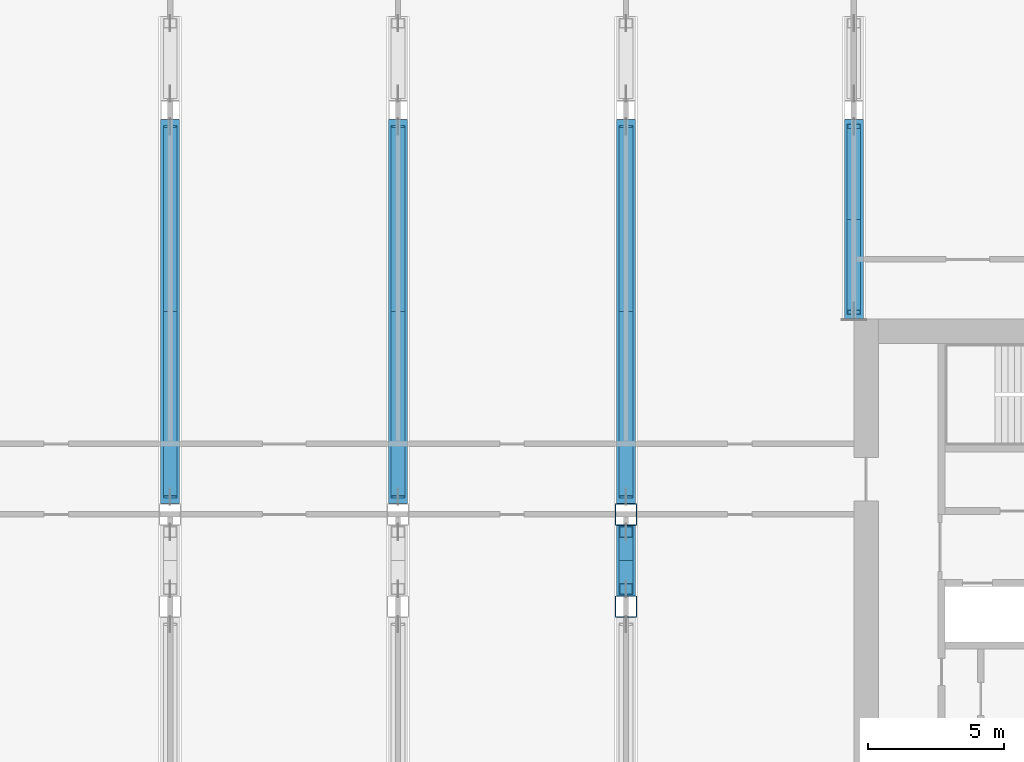
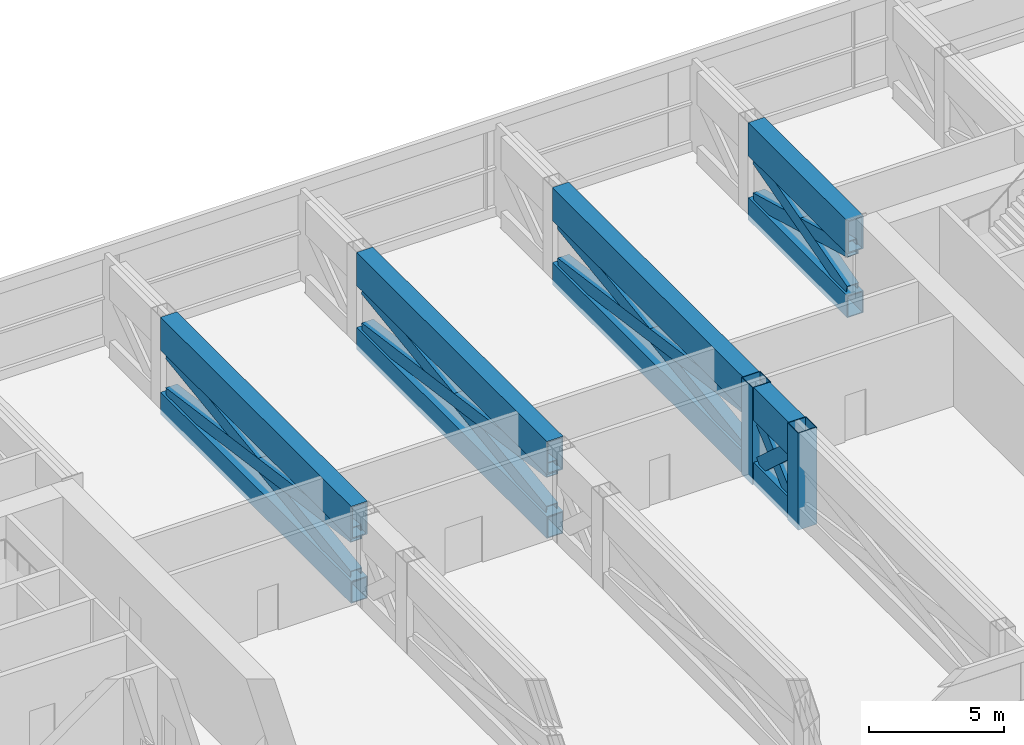
# One storey, part 7 of 33: 22 members.
"""IFC4 building model written with IfcOpenShell, lengths in metres."""

from ifc_helpers import new_model, si_unit, direction, frame, origin, origin_2d, place, context, subcontext, project, spatial, hollow_rectangle, extrude, material, material_profile, profile_set, type_object, element, save


model = new_model("IFC4")

# Units and contexts
model_context = context("Model", 3, precision=1e-05, world=origin(), true_north=direction((0.0, 1.0)))
body_context = subcontext(model_context, "Body", "Model", "MODEL_VIEW")
ifc_project = project(units=[si_unit("LENGTHUNIT", "METRE"), si_unit("AREAUNIT", "SQUARE_METRE"), si_unit("VOLUMEUNIT", "CUBIC_METRE"), si_unit("PLANEANGLEUNIT", "RADIAN"), si_unit("MASSUNIT", "GRAM", prefix="KILO")], contexts=[model_context])

# Site, building, storey
site_placement = place(None, origin())
site = spatial("IfcSite", under=ifc_project, at=site_placement, CompositionType="ELEMENT")
building_placement = place(site_placement, origin())
building = spatial("IfcBuilding", under=site, at=building_placement, Name="Hakoniwa Tower and Hamabe Station Hall", CompositionType="ELEMENT")
storey_placement = place(building_placement, frame((0.0, 0.0, 175.800048828125)))
storey = spatial("IfcBuildingStorey", under=building, at=storey_placement, Name="L50", CompositionType="ELEMENT", Elevation=175.800048828125)

# Members
ifc_material_1 = material(Name="Steel SN490C", Category="steel")
ifc_material_profile_1 = material_profile(ifc_material_1, hollow_rectangle(XDim=0.699951171875, YDim=1.0, WallThickness=0.0400390625, at=origin_2d()), Name="BX-1000x700x40")
ifc_profile_set_1 = profile_set([ifc_material_profile_1], Name="Steel SN490C")
member_type_1 = type_object("IfcMemberType", Name="TRUSS CHORD BX-1000x700x40", PredefinedType="CHORD", material=ifc_profile_set_1)
for number, where, z_axis, x_axis, name in (
    (1, (-8.39990234375, 1.60009765625, 0.199951171875), (0.0, 1.0, 0.0), (-1.0, 0.0, 0.0), "Truss T3-11-BC03"),
    (2, (0.0, 1.60009765625, 0.199951171875), (0.0, 1.0, 0.0), (-1.0, 0.0, 0.0), "Truss T3-12-BC03"),
):
    element("IfcMember", number, at=place(storey_placement, frame(where, z_axis=z_axis, x_axis=x_axis)), inside=storey, type_object=member_type_1, Name=name, PredefinedType="CHORD", context=body_context, shape_type="SweptSolid", body=[
        extrude(hollow_rectangle(XDim=0.699951171875, YDim=1.0, WallThickness=0.0400390625, at=origin_2d()), origin(), (0.0, 0.0, 1.0), 14.14990234375),
    ])
member_1_placement = place(storey_placement, frame((8.39990234375, -1.800048828125, 0.199951171875), z_axis=(0.0, 1.0, 0.0), x_axis=(-1.0, 0.0, 0.0)))
element("IfcMember", 3, at=member_1_placement, inside=storey, type_object=member_type_1, Name="Truss T3-13-BC02", PredefinedType="CHORD", context=body_context, shape_type="SweptSolid", body=[
    extrude(hollow_rectangle(XDim=0.699951171875, YDim=1.0, WallThickness=0.0400390625, at=origin_2d()), origin(), (0.0, 0.0, 1.0), 2.60009765625),
])
member_2_placement = place(storey_placement, frame((8.39990234375, 1.60009765625, 0.199951171875), z_axis=(0.0, 1.0, 0.0), x_axis=(-1.0, 0.0, 0.0)))
element("IfcMember", 4, at=member_2_placement, inside=storey, type_object=member_type_1, Name="Truss T3-13-BC03", PredefinedType="CHORD", context=body_context, shape_type="SweptSolid", body=[
    extrude(hollow_rectangle(XDim=0.699951171875, YDim=1.0, WallThickness=0.0400390625, at=origin_2d()), origin(), (0.0, 0.0, 1.0), 14.14990234375),
])
member_3_placement = place(storey_placement, frame((16.800048828125, 8.39990234375, 0.199951171875), z_axis=(0.0, 1.0, 0.0), x_axis=(-1.0, 0.0, 0.0)))
element("IfcMember", 5, at=member_3_placement, inside=storey, type_object=member_type_1, Name="Truss T3-15-BC01", PredefinedType="CHORD", context=body_context, shape_type="SweptSolid", body=[
    extrude(hollow_rectangle(XDim=0.699951171875, YDim=1.0, WallThickness=0.0400390625, at=origin_2d()), origin(), (0.0, 0.0, 1.0), 7.35009765625),
])
ifc_material_2 = material(Name="Steel SN490C", Category="steel")
ifc_material_profile_2 = material_profile(ifc_material_2, hollow_rectangle(XDim=0.699951171875, YDim=1.5, WallThickness=0.054931640625, at=origin_2d()), Name="BX-1500x700x55")
ifc_profile_set_2 = profile_set([ifc_material_profile_2], Name="Steel SN490C")
member_type_2 = type_object("IfcMemberType", Name="TRUSS CHORD BX-1500x700x55", PredefinedType="CHORD", material=ifc_profile_set_2)
for number, where, z_axis, x_axis, name in (
    (6, (-8.39990234375, 1.60009765625, 3.349853515625), (0.0, 1.0, 0.0), (-1.0, 0.0, 0.0), "Truss T3-11-TC03"),
    (7, (0.0, 1.60009765625, 3.349853515625), (0.0, 1.0, 0.0), (-1.0, 0.0, 0.0), "Truss T3-12-TC03"),
):
    element("IfcMember", number, at=place(storey_placement, frame(where, z_axis=z_axis, x_axis=x_axis)), inside=storey, type_object=member_type_2, Name=name, PredefinedType="CHORD", context=body_context, shape_type="SweptSolid", body=[
        extrude(hollow_rectangle(XDim=0.699951171875, YDim=1.5, WallThickness=0.054931640625, at=origin_2d()), origin(), (0.0, 0.0, 1.0), 14.14990234375),
    ])
member_4_placement = place(storey_placement, frame((8.39990234375, -1.800048828125, 3.349853515625), z_axis=(0.0, 1.0, 0.0), x_axis=(-1.0, 0.0, 0.0)))
element("IfcMember", 8, at=member_4_placement, inside=storey, type_object=member_type_2, Name="Truss T3-13-TC02", PredefinedType="CHORD", context=body_context, shape_type="SweptSolid", body=[
    extrude(hollow_rectangle(XDim=0.699951171875, YDim=1.5, WallThickness=0.054931640625, at=origin_2d()), origin(), (0.0, 0.0, 1.0), 2.60009765625),
])
member_5_placement = place(storey_placement, frame((8.39990234375, 1.60009765625, 3.349853515625), z_axis=(0.0, 1.0, 0.0), x_axis=(-1.0, 0.0, 0.0)))
element("IfcMember", 9, at=member_5_placement, inside=storey, type_object=member_type_2, Name="Truss T3-13-TC03", PredefinedType="CHORD", context=body_context, shape_type="SweptSolid", body=[
    extrude(hollow_rectangle(XDim=0.699951171875, YDim=1.5, WallThickness=0.054931640625, at=origin_2d()), origin(), (0.0, 0.0, 1.0), 14.14990234375),
])
member_6_placement = place(storey_placement, frame((16.800048828125, 8.39990234375, 3.349853515625), z_axis=(0.0, 1.0, 0.0), x_axis=(-1.0, 0.0, 0.0)))
element("IfcMember", 10, at=member_6_placement, inside=storey, type_object=member_type_2, Name="Truss T3-15-TC01", PredefinedType="CHORD", context=body_context, shape_type="SweptSolid", body=[
    extrude(hollow_rectangle(XDim=0.699951171875, YDim=1.5, WallThickness=0.054931640625, at=origin_2d()), origin(), (0.0, 0.0, 1.0), 7.35009765625),
])
ifc_material_3 = material(Name="Steel SN490C", Category="steel")
ifc_material_profile_3 = material_profile(ifc_material_3, hollow_rectangle(XDim=0.5, YDim=0.60009765625, WallThickness=0.028076171875, at=origin_2d()), Name="BX-600x500x28")
ifc_profile_set_3 = profile_set([ifc_material_profile_3], Name="Steel SN490C")
member_type_3 = type_object("IfcMemberType", Name="TRUSS DIAGONAL BX-600x500x28", PredefinedType="BRACE", material=ifc_profile_set_3)
for number, where, z_axis, x_axis, name in (
    (11, (-8.39990234375, 1.85009765625, 0.699951171875), (0.0, 0.990451865298, 0.137858995095), (-1.0, 0.0, 0.0), "Truss T3-11-D03a"),
    (12, (-8.39990234375, 1.85009765625, 2.599853515625), (0.0, 0.990451865298, -0.137858995095), (-1.0, 0.0, 0.0), "Truss T3-11-D03b"),
    (13, (0.0, 1.85009765625, 0.699951171875), (0.0, 0.990451865298, 0.137858995095), (-1.0, 0.0, 0.0), "Truss T3-12-D03a"),
    (14, (0.0, 1.85009765625, 2.599853515625), (0.0, 0.990451865298, -0.137858995095), (-1.0, 0.0, 0.0), "Truss T3-12-D03b"),
):
    element("IfcMember", number, at=place(storey_placement, frame(where, z_axis=z_axis, x_axis=x_axis)), inside=storey, type_object=member_type_3, Name=name, PredefinedType="BRACE", context=body_context, shape_type="SweptSolid", body=[
        extrude(hollow_rectangle(XDim=0.5, YDim=0.60009765625, WallThickness=0.028076171875, at=origin_2d()), origin(), (0.0, 0.0, 1.0), 13.781494140625),
    ])
for number, where, z_axis, x_axis, name in (
    (15, (8.39990234375, -1.550048828125, 0.699951171875), (0.0, 0.74156845591, 0.670877205753), (-1.0, 0.0, 0.0), "Truss T3-13-D02a"),
    (16, (8.39990234375, -1.550048828125, 2.599853515625), (0.0, 0.74156845591, -0.670877205753), (-1.0, 0.0, 0.0), "Truss T3-13-D02b"),
):
    element("IfcMember", number, at=place(storey_placement, frame(where, z_axis=z_axis, x_axis=x_axis)), inside=storey, type_object=member_type_3, Name=name, PredefinedType="BRACE", context=body_context, shape_type="SweptSolid", body=[
        extrude(hollow_rectangle(XDim=0.5, YDim=0.60009765625, WallThickness=0.028076171875, at=origin_2d()), origin(), (0.0, 0.0, 1.0), 2.83203125),
    ])
for number, where, z_axis, x_axis, name in (
    (17, (8.39990234375, 1.85009765625, 0.699951171875), (0.0, 0.990451865298, 0.137858995095), (-1.0, 0.0, 0.0), "Truss T3-13-D03a"),
    (18, (8.39990234375, 1.85009765625, 2.599853515625), (0.0, 0.990451865298, -0.137858995095), (-1.0, 0.0, 0.0), "Truss T3-13-D03b"),
):
    element("IfcMember", number, at=place(storey_placement, frame(where, z_axis=z_axis, x_axis=x_axis)), inside=storey, type_object=member_type_3, Name=name, PredefinedType="BRACE", context=body_context, shape_type="SweptSolid", body=[
        extrude(hollow_rectangle(XDim=0.5, YDim=0.60009765625, WallThickness=0.028076171875, at=origin_2d()), origin(), (0.0, 0.0, 1.0), 13.781494140625),
    ])
for number, where, z_axis, x_axis, name in (
    (19, (16.800048828125, 8.64990234375, 0.699951171875), (0.0, 0.963623130334, 0.267264780108), (-1.0, 0.0, 0.0), "Truss T3-15-D01a"),
    (20, (16.800048828125, 8.64990234375, 2.599853515625), (0.0, 0.963623130334, -0.267264780108), (-1.0, 0.0, 0.0), "Truss T3-15-D01b"),
):
    element("IfcMember", number, at=place(storey_placement, frame(where, z_axis=z_axis, x_axis=x_axis)), inside=storey, type_object=member_type_3, Name=name, PredefinedType="BRACE", context=body_context, shape_type="SweptSolid", body=[
        extrude(hollow_rectangle(XDim=0.5, YDim=0.60009765625, WallThickness=0.028076171875, at=origin_2d()), origin(), (0.0, 0.0, 1.0), 7.108642578125),
    ])
ifc_material_4 = material(Name="Steel SN490C", Category="steel")
ifc_material_profile_4 = material_profile(ifc_material_4, hollow_rectangle(XDim=0.800048828125, YDim=0.800048828125, WallThickness=0.031982421875, at=origin_2d()), Name="BX-800x800x32")
ifc_profile_set_4 = profile_set([ifc_material_profile_4], Name="Steel SN490C")
member_type_4 = type_object("IfcMemberType", Name="TRUSS POST BX-800x800x32", PredefinedType="POST", material=ifc_profile_set_4)
for number, where, z_axis, x_axis, name in (
    (21, (8.39990234375, -2.199951171875, -0.300048828125), (0.0, 0.0, 1.0), (1.0, 0.0, 0.0), "Truss T3-13-P02"),
    (22, (8.39990234375, 1.199951171875, -0.300048828125), (0.0, 0.0, 1.0), (1.0, 0.0, 0.0), "Truss T3-13-P03"),
):
    element("IfcMember", number, at=place(storey_placement, frame(where, z_axis=z_axis, x_axis=x_axis)), inside=storey, type_object=member_type_4, Name=name, PredefinedType="POST", context=body_context, shape_type="SweptSolid", body=[
        extrude(hollow_rectangle(XDim=0.800048828125, YDim=0.800048828125, WallThickness=0.031982421875, at=origin_2d()), origin(), (0.0, 0.0, 1.0), 4.39990234375),
    ])

save(model, "model.ifc")
